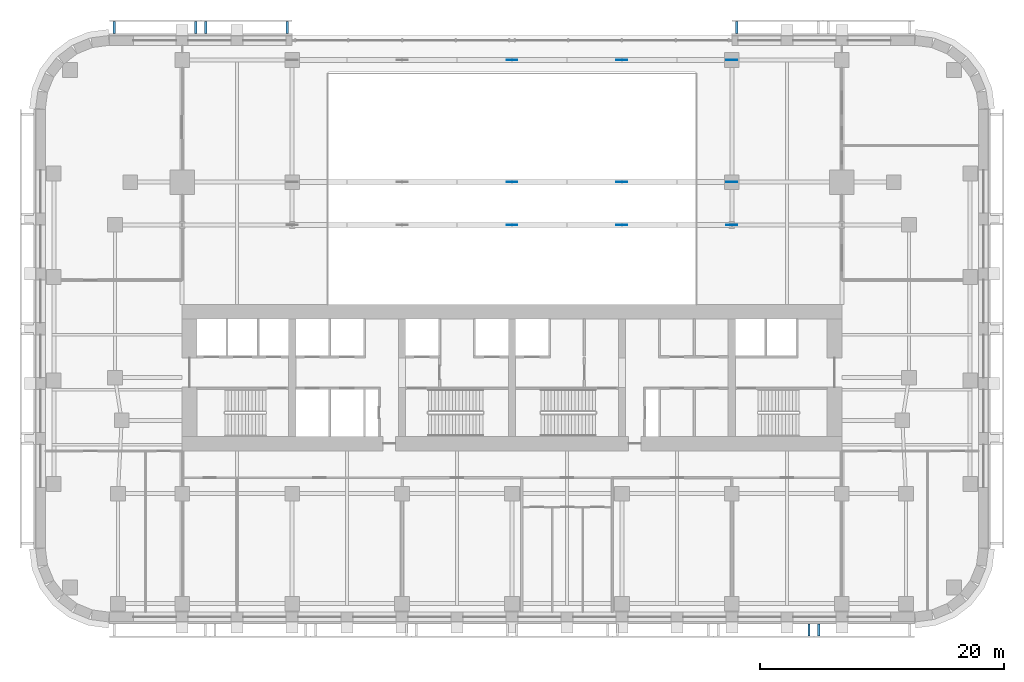
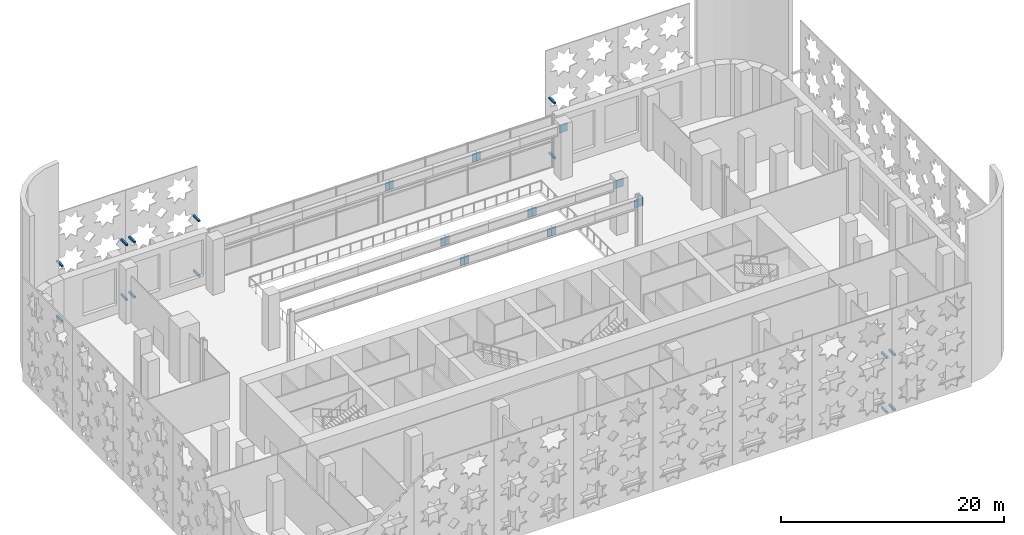
# One storey, part 10 of 17: 23 discrete accessories.
"""IFC4 building model written with IfcOpenShell, lengths in metres."""

from ifc_helpers import new_model, si_unit, direction, frame, origin, origin_2d, place, context, subcontext, project, spatial, rectangle, extrude, material, type_object, element, save


model = new_model("IFC4")

# Units and contexts
model_context = context("Model", 3, precision=1e-05, world=origin(), true_north=direction((0.0, 1.0)))
body_context = subcontext(model_context, "Body", "Model", "MODEL_VIEW")
ifc_project = project(units=[si_unit("LENGTHUNIT", "METRE"), si_unit("AREAUNIT", "SQUARE_METRE"), si_unit("VOLUMEUNIT", "CUBIC_METRE"), si_unit("PLANEANGLEUNIT", "RADIAN"), si_unit("MASSUNIT", "GRAM", prefix="KILO")], contexts=[model_context])

# Site, building, storey
site_placement = place(None, origin())
site = spatial("IfcSite", under=ifc_project, at=site_placement, CompositionType="ELEMENT")
building_placement = place(site_placement, origin())
building = spatial("IfcBuilding", under=site, at=building_placement, Name="Zellij Exchange Tower", CompositionType="ELEMENT")
storey_placement = place(building_placement, frame((0.0, 0.0, 21.0)))
storey = spatial("IfcBuildingStorey", under=building, at=storey_placement, Name="L03", CompositionType="ELEMENT", Elevation=21.0)

# Discrete accessories
ifc_material = material(Name="Stainless steel", Category="steel")
discrete_accessory_type = type_object("IfcDiscreteAccessoryType", Name="ENV-BR1 Stone panel bracket 200", PredefinedType="USERDEFINED", material=ifc_material)
for number, where, z_axis, x_axis, name in (
    (1, (24.310791015625, -28.64990234375, 0.2998046875), (0.0, 0.0, 1.0), (1.0, 0.0, 0.0), "Panel bracket"),
    (2, (24.310791015625, -28.64990234375, 6.2998046875), (0.0, 0.0, 1.0), (1.0, 0.0, 0.0), "Panel bracket"),
    (3, (25.110595703125, -28.64990234375, 0.2998046875), (0.0, 0.0, 1.0), (1.0, 0.0, 0.0), "Panel bracket"),
    (4, (25.110595703125, -28.64990234375, 6.2998046875), (0.0, 0.0, 1.0), (1.0, 0.0, 0.0), "Panel bracket"),
    (5, (-18.39990234375, 20.64990234375, 0.2998046875), (0.0, 0.0, 1.0), (-1.0, 0.0, 0.0), "Panel bracket"),
    (6, (-25.07373046875, 20.64990234375, 0.2998046875), (0.0, 0.0, 1.0), (-1.0, 0.0, 0.0), "Panel bracket"),
    (7, (-18.39990234375, 20.64990234375, 6.2998046875), (0.0, 0.0, 1.0), (-1.0, 0.0, 0.0), "Panel bracket"),
    (8, (-25.07373046875, 20.64990234375, 6.2998046875), (0.0, 0.0, 1.0), (-1.0, 0.0, 0.0), "Panel bracket"),
    (9, (-25.873779296875, 20.64990234375, 0.2998046875), (0.0, 0.0, 1.0), (-1.0, 0.0, 0.0), "Panel bracket"),
    (10, (-32.547607421875, 20.64990234375, 0.2998046875), (0.0, 0.0, 1.0), (-1.0, 0.0, 0.0), "Panel bracket"),
    (11, (-25.873779296875, 20.64990234375, 6.2998046875), (0.0, 0.0, 1.0), (-1.0, 0.0, 0.0), "Panel bracket"),
    (12, (-32.547607421875, 20.64990234375, 6.2998046875), (0.0, 0.0, 1.0), (-1.0, 0.0, 0.0), "Panel bracket"),
    (13, (18.39990234375, 20.64990234375, 0.2998046875), (0.0, 0.0, 1.0), (-1.0, 0.0, 0.0), "Panel bracket"),
    (14, (18.39990234375, 20.64990234375, 6.2998046875), (0.0, 0.0, 1.0), (-1.0, 0.0, 0.0), "Panel bracket"),
):
    element("IfcDiscreteAccessory", number, at=place(storey_placement, frame(where, z_axis=z_axis, x_axis=x_axis)), inside=storey, type_object=discrete_accessory_type, Name=name, ObjectType="BRACKET", PredefinedType="USERDEFINED", context=body_context, shape_type="SweptSolid", body=[
        extrude(rectangle(XDim=0.199951171875, YDim=1.0, at=origin_2d()), origin(), (0.0, 0.0, 1.0), 0.199951171875),
    ])
for number, where, z_axis, x_axis, name in (
    (15, (0.0, 4.5, 4.703857421875), (0.0, 0.0, 1.0), (1.0, 0.0, 0.0), "Gusset plate"),
    (16, (9.0, 4.5, 4.703857421875), (0.0, 0.0, 1.0), (1.0, 0.0, 0.0), "Gusset plate"),
    (17, (18.0, 4.5, 4.703857421875), (0.0, 0.0, 1.0), (1.0, 0.0, 0.0), "Gusset plate"),
    (18, (0.0, 8.0, 4.703857421875), (0.0, 0.0, 1.0), (1.0, 0.0, 0.0), "Gusset plate"),
    (19, (9.0, 8.0, 4.703857421875), (0.0, 0.0, 1.0), (1.0, 0.0, 0.0), "Gusset plate"),
    (20, (18.0, 8.0, 4.703857421875), (0.0, 0.0, 1.0), (1.0, 0.0, 0.0), "Gusset plate"),
    (21, (0.0, 18.0, 4.703857421875), (0.0, 0.0, 1.0), (1.0, 0.0, 0.0), "Gusset plate"),
    (22, (9.0, 18.0, 4.703857421875), (0.0, 0.0, 1.0), (1.0, 0.0, 0.0), "Gusset plate"),
    (23, (18.0, 18.0, 4.703857421875), (0.0, 0.0, 1.0), (1.0, 0.0, 0.0), "Gusset plate"),
):
    element("IfcDiscreteAccessory", number, at=place(storey_placement, frame(where, z_axis=z_axis, x_axis=x_axis)), inside=storey, Name=name, PredefinedType="BRACKET", context=body_context, shape_type="SweptSolid", body=[
        extrude(rectangle(XDim=0.89990234375, YDim=0.030029296875, at=origin_2d()), origin(), (0.0, 0.0, 1.0), 0.89990234375),
    ])

save(model, "model.ifc")
